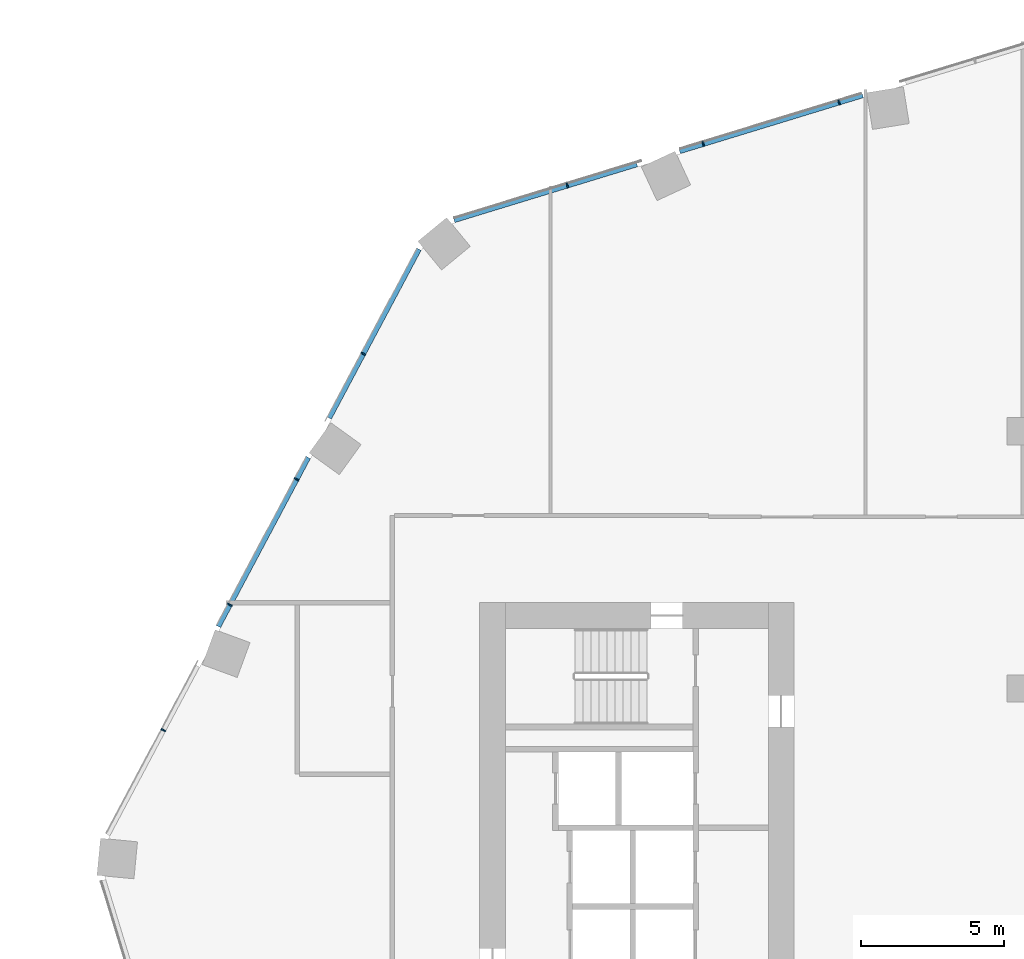
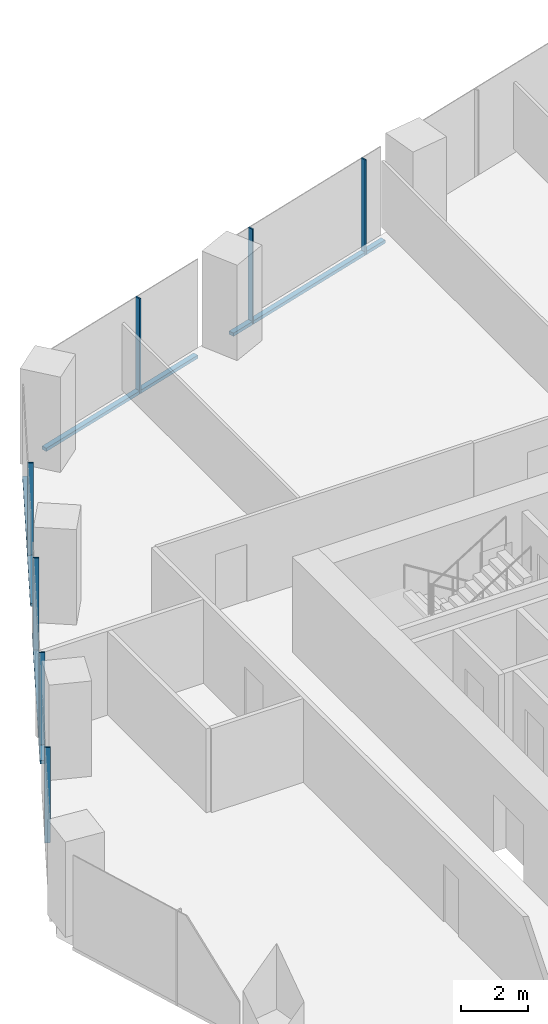
# One storey, part 11 of 31: 11 members, 2 elements without a shape of their own.
"""IFC4 building model written with IfcOpenShell, lengths in metres."""

from ifc_helpers import new_model, si_unit, direction, frame, origin, origin_2d, place, context, subcontext, project, spatial, rectangle, extrude, material, material_profile, profile_set, type_object, element, aggregate, save


model = new_model("IFC4")

# Units and contexts
model_context = context("Model", 3, precision=1e-05, world=origin(), true_north=direction((0.0, 1.0)))
body_context = subcontext(model_context, "Body", "Model", "MODEL_VIEW")
ifc_project = project(units=[si_unit("LENGTHUNIT", "METRE"), si_unit("AREAUNIT", "SQUARE_METRE"), si_unit("VOLUMEUNIT", "CUBIC_METRE"), si_unit("PLANEANGLEUNIT", "RADIAN"), si_unit("MASSUNIT", "GRAM", prefix="KILO")], contexts=[model_context])

# Site, building, storey
site_placement = place(None, origin())
site = spatial("IfcSite", under=ifc_project, at=site_placement, CompositionType="ELEMENT")
building_placement = place(site_placement, origin())
building = spatial("IfcBuilding", under=site, at=building_placement, Name="Orlundy Tower", CompositionType="ELEMENT")
storey_placement = place(building_placement, frame((0.0, 0.0, 91.199951171875)))
storey = spatial("IfcBuildingStorey", under=building, at=storey_placement, Name="L22", CompositionType="ELEMENT", Elevation=91.199951171875)

# Curtain wall, members
ifc_material_1 = material(Name="Aluminium bronze anodised", Category="aluminium")
curtain_wall_type = type_object("IfcCurtainWallType", Name="CW1 wall", PredefinedType="NOTDEFINED", material=ifc_material_1)
curtain_wall_1_placement = place(storey_placement, origin())
curtain_wall_1 = element("IfcCurtainWall", 1, at=curtain_wall_1_placement, inside=storey, type_object=curtain_wall_type, Name="CW1 run 02", PredefinedType="NOTDEFINED")
ifc_material_2 = material(Name="Aluminium bronze anodised", Category="aluminium")
ifc_material_profile_1 = material_profile(ifc_material_2, rectangle(XDim=0.179931640625, YDim=0.050048828125, at=origin_2d()), Name="CW1 mullion 50x180")
ifc_profile_set_1 = profile_set([ifc_material_profile_1], Name="Aluminium bronze anodised")
member_type_1 = type_object("IfcMemberType", Name="CW1 mullion 50x180", PredefinedType="MULLION", material=ifc_profile_set_1)
member_1_placement = place(storey_placement, frame((-30.068115234375, 7.54296875, -0.39990234375), z_axis=(0.0, 0.0, 1.0), x_axis=(-0.882961465544, 0.469445471129, 0.0)))
member_1 = element("IfcMember", 2, at=member_1_placement, type_object=member_type_1, Name="CW1 mullion 10", PredefinedType="MULLION", context=body_context, shape_type="SweptSolid", body=[
    extrude(rectangle(XDim=0.179931640625, YDim=0.050048828125, at=origin_2d()), origin(), (0.0, 0.0, 1.0), 3.5),
])
member_2_placement = place(storey_placement, frame((-27.734619140625, 11.931884765625, -0.39990234375), z_axis=(0.0, 0.0, 1.0), x_axis=(-0.882961465544, 0.469445471129, 0.0)))
member_2 = element("IfcMember", 3, at=member_2_placement, type_object=member_type_1, Name="CW1 mullion 11", PredefinedType="MULLION", context=body_context, shape_type="SweptSolid", body=[
    extrude(rectangle(XDim=0.179931640625, YDim=0.050048828125, at=origin_2d()), origin(), (0.0, 0.0, 1.0), 3.5),
])
member_3_placement = place(storey_placement, frame((-25.4013671875, 16.320556640625, -0.39990234375), z_axis=(0.0, 0.0, 1.0), x_axis=(-0.882961465544, 0.469445471129, 0.0)))
member_3 = element("IfcMember", 4, at=member_3_placement, type_object=member_type_1, Name="CW1 mullion 12", PredefinedType="MULLION", context=body_context, shape_type="SweptSolid", body=[
    extrude(rectangle(XDim=0.179931640625, YDim=0.050048828125, at=origin_2d()), origin(), (0.0, 0.0, 1.0), 3.5),
])
member_4_placement = place(storey_placement, frame((-23.06787109375, 20.70947265625, -0.39990234375), z_axis=(0.0, 0.0, 1.0), x_axis=(-0.882961465544, 0.469445471129, 0.0)))
member_4 = element("IfcMember", 5, at=member_4_placement, type_object=member_type_1, Name="CW1 mullion 13", PredefinedType="MULLION", context=body_context, shape_type="SweptSolid", body=[
    extrude(rectangle(XDim=0.179931640625, YDim=0.050048828125, at=origin_2d()), origin(), (0.0, 0.0, 1.0), 3.5),
])

curtain_wall_2_placement = place(storey_placement, origin())
curtain_wall_2 = element("IfcCurtainWall", 6, at=curtain_wall_2_placement, inside=storey, type_object=curtain_wall_type, Name="CW1 run 03", PredefinedType="NOTDEFINED")
member_5_placement = place(storey_placement, frame((-15.927978515625, 26.59521484375, -0.39990234375), z_axis=(0.0, 0.0, 1.0), x_axis=(-0.292360624804, 0.956308143364, 0.0)))
member_5 = element("IfcMember", 7, at=member_5_placement, type_object=member_type_1, Name="CW1 mullion 15", PredefinedType="MULLION", context=body_context, shape_type="SweptSolid", body=[
    extrude(rectangle(XDim=0.179931640625, YDim=0.050048828125, at=origin_2d()), origin(), (0.0, 0.0, 1.0), 3.5),
])
member_6_placement = place(storey_placement, frame((-11.174560546875, 28.048583984375, -0.39990234375), z_axis=(0.0, 0.0, 1.0), x_axis=(-0.292360624804, 0.956308143364, 0.0)))
member_6 = element("IfcMember", 8, at=member_6_placement, type_object=member_type_1, Name="CW1 mullion 16", PredefinedType="MULLION", context=body_context, shape_type="SweptSolid", body=[
    extrude(rectangle(XDim=0.179931640625, YDim=0.050048828125, at=origin_2d()), origin(), (0.0, 0.0, 1.0), 3.5),
])
member_7_placement = place(storey_placement, frame((-6.421142578125, 29.501708984375, -0.39990234375), z_axis=(0.0, 0.0, 1.0), x_axis=(-0.292360624804, 0.956308143364, 0.0)))
member_7 = element("IfcMember", 9, at=member_7_placement, type_object=member_type_1, Name="CW1 mullion 17", PredefinedType="MULLION", context=body_context, shape_type="SweptSolid", body=[
    extrude(rectangle(XDim=0.179931640625, YDim=0.050048828125, at=origin_2d()), origin(), (0.0, 0.0, 1.0), 3.5),
])

# Member
ifc_material_3 = material(Name="Aluminium bronze anodised", Category="aluminium")
ifc_material_profile_2 = material_profile(ifc_material_3, rectangle(XDim=0.179931640625, YDim=0.1201171875, at=origin_2d()), Name="CW1 transom 180x120")
ifc_profile_set_2 = profile_set([ifc_material_profile_2], Name="Aluminium bronze anodised")
member_type_2 = type_object("IfcMemberType", Name="CW1 transom 180x120", PredefinedType="USERDEFINED", material=ifc_profile_set_2)
member_8_placement = place(storey_placement, frame((-28.13916015625, 11.1708984375, -0.33984375), z_axis=(0.469421843638, 0.882974027203, 0.0), x_axis=(-0.882974027203, 0.469421843638, 0.0)))
member_8 = element("IfcMember", 10, at=member_8_placement, type_object=member_type_2, Name="CW1 transom", ObjectType="TRANSOM", PredefinedType="USERDEFINED", context=body_context, shape_type="SweptSolid", body=[
    extrude(rectangle(XDim=0.179931640625, YDim=0.1201171875, at=origin_2d()), origin(), (0.0, 0.0, 1.0), 6.694580078125),
])

member_9_placement = place(storey_placement, frame((-24.261962890625, 18.46337890625, -0.33984375), z_axis=(0.469433727662, 0.882967709111, 0.0), x_axis=(-0.882967709111, 0.469433727662, 0.0)))
member_9 = element("IfcMember", 11, at=member_9_placement, type_object=member_type_2, Name="CW1 transom", ObjectType="TRANSOM", PredefinedType="USERDEFINED", context=body_context, shape_type="SweptSolid", body=[
    extrude(rectangle(XDim=0.179931640625, YDim=0.1201171875, at=origin_2d()), origin(), (0.0, 0.0, 1.0), 6.6865234375),
])

aggregate(curtain_wall_1, [member_1, member_2, member_3, member_4, member_8, member_9])

member_10_placement = place(storey_placement, frame((-19.88818359375, 25.384521484375, -0.33984375), z_axis=(0.956312991932, 0.292344764725, 0.0), x_axis=(-0.292344764725, 0.956312991932, 0.0)))
member_10 = element("IfcMember", 12, at=member_10_placement, type_object=member_type_2, Name="CW1 transom", ObjectType="TRANSOM", PredefinedType="USERDEFINED", context=body_context, shape_type="SweptSolid", body=[
    extrude(rectangle(XDim=0.179931640625, YDim=0.1201171875, at=origin_2d()), origin(), (0.0, 0.0, 1.0), 6.6826171875),
])

member_11_placement = place(storey_placement, frame((-11.998291015625, 27.796630859375, -0.33984375), z_axis=(0.956307391667, 0.292363083585, 0.0), x_axis=(-0.292363083585, 0.956307391667, 0.0)))
member_11 = element("IfcMember", 13, at=member_11_placement, type_object=member_type_2, Name="CW1 transom", ObjectType="TRANSOM", PredefinedType="USERDEFINED", context=body_context, shape_type="SweptSolid", body=[
    extrude(rectangle(XDim=0.179931640625, YDim=0.1201171875, at=origin_2d()), origin(), (0.0, 0.0, 1.0), 6.69384765625),
])

aggregate(curtain_wall_2, [member_5, member_6, member_7, member_10, member_11])

save(model, "model.ifc")
